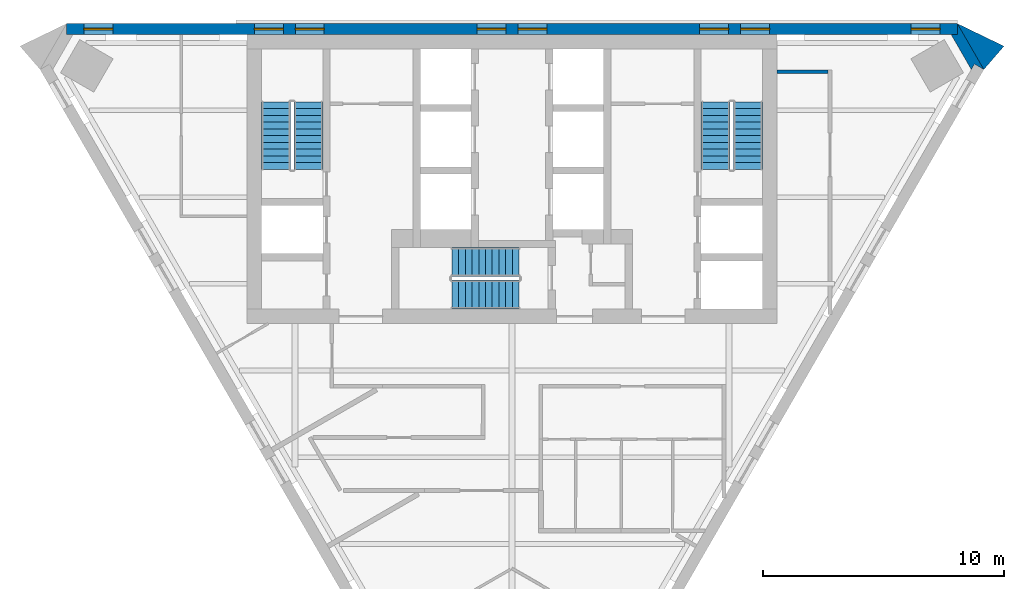
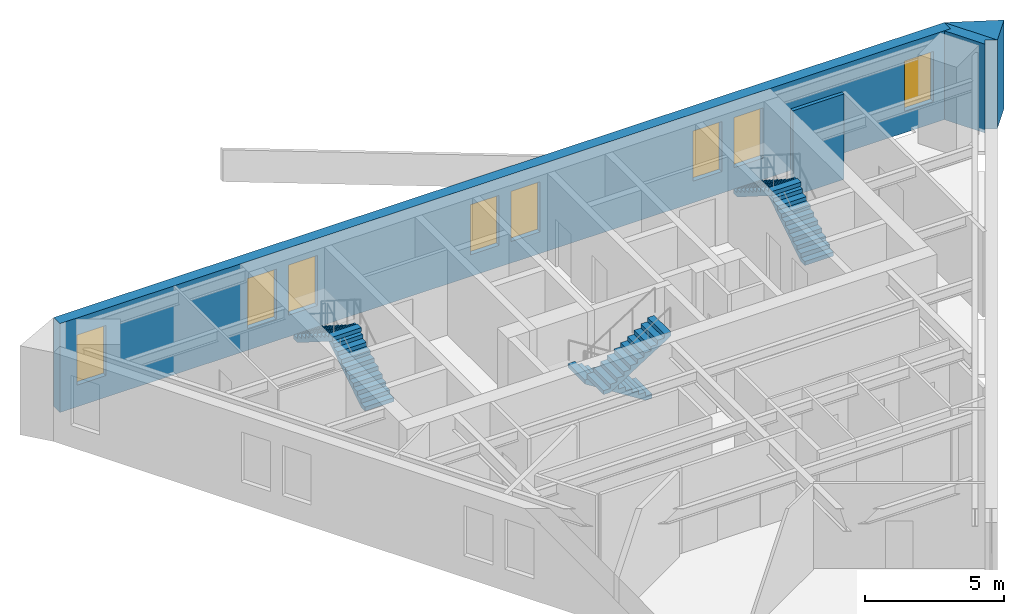
# One storey, part 5 of 6: 8 windows, 6 stair flights, 4 walls, 8 openings, 3 elements without a shape of their own.
"""IFC4 building model written with IfcOpenShell, lengths in metres."""

from ifc_helpers import new_model, si_unit, direction, frame, frame_2d, origin, place, context, subcontext, project, spatial, polyline, rectangle, outline, extrude, material, layer, layer_set, type_object, element, fill, aggregate, save


model = new_model("IFC4")

# Units and contexts
model_context = context("Model", 3, precision=1e-05, world=origin(), true_north=direction((0.0, 1.0)))
body_context = subcontext(model_context, "Body", "Model", "MODEL_VIEW")
ifc_project = project(units=[si_unit("LENGTHUNIT", "METRE"), si_unit("AREAUNIT", "SQUARE_METRE"), si_unit("VOLUMEUNIT", "CUBIC_METRE"), si_unit("PLANEANGLEUNIT", "RADIAN"), si_unit("MASSUNIT", "GRAM", prefix="KILO")], contexts=[model_context])

# Site, building, storey
site_placement = place(None, origin())
site = spatial("IfcSite", under=ifc_project, at=site_placement, CompositionType="ELEMENT")
building_placement = place(site_placement, origin())
building = spatial("IfcBuilding", under=site, at=building_placement, Name="Aloe Facet Convention Tower", CompositionType="ELEMENT")
storey_placement = place(building_placement, frame((0.0, 0.0, 242.60009765625)))
storey = spatial("IfcBuildingStorey", under=building, at=storey_placement, Name="L59", CompositionType="ELEMENT", Elevation=242.60009765625)

# Walls
ifc_material_1 = material(Name="Precast concrete C40/50", Category="concrete")
ifc_layer_1 = layer(ifc_material_1, 0.449951171875)
ifc_layer_set_1 = layer_set([ifc_layer_1], Name="EV-WALL-PIER")
wall_type_1 = type_object("IfcWallType", Name="EV-WALL-PIER", PredefinedType="SOLIDWALL", material=ifc_layer_set_1)
wall_1_placement = place(storey_placement, frame((0.0, 0.0, -0.150146484375)))
element("IfcWall", 1, at=wall_1_placement, inside=storey, type_object=wall_type_1, Name="EP-L59-C", PredefinedType="SOLIDWALL", context=body_context, shape_type="SweptSolid", body=[
    extrude(outline(polyline([(99.586181640625, 133.0947265625), (99.196533203125, 133.31982421875), (99.066650390625, 133.0947265625), (98.226318359375, 134.550048828125), (98.486083984375, 134.550048828125), (98.486083984375, 135.0), (99.586181640625, 133.0947265625)])), origin(), (0.0, 0.0, 1.0), 3.900146484375),
])
ifc_material_2 = material(Name="Precast concrete C40/50", Category="concrete")
ifc_layer_2 = layer(ifc_material_2, 3.947998046875)
ifc_layer_set_2 = layer_set([ifc_layer_2], Name="EV-WALL-SPINE")
wall_type_2 = type_object("IfcWallType", Name="EV-WALL-SPINE", PredefinedType="SOLIDWALL", material=ifc_layer_set_2)
wall_2_placement = place(storey_placement, frame((0.0, 0.0, -0.150146484375)))
element("IfcWall", 2, at=wall_2_placement, inside=storey, type_object=wall_type_2, Name="SP-NE-L59", PredefinedType="SOLIDWALL", context=body_context, shape_type="SweptSolid", body=[
    extrude(outline(polyline([(99.586181640625, 133.0947265625), (100.422119140625, 134.062744140625), (98.486083984375, 135.0), (99.586181640625, 133.0947265625)])), origin(), (0.0, 0.0, 1.0), 3.900146484375),
])

# Wall, openings, windows
ifc_material_3 = material(Name="Precast concrete C40/50", Category="concrete")
ifc_layer_3 = layer(ifc_material_3, 0.449951171875)
ifc_layer_set_3 = layer_set([ifc_layer_3], Name="EV-WALL-STONE")
wall_type_3 = type_object("IfcWallType", Name="EV-WALL-STONE", PredefinedType="SOLIDWALL", material=ifc_layer_set_3)
wall_3_placement = place(storey_placement, frame((98.486083984375, 134.77490234375, -0.150146484375), z_axis=(0.0, 0.0, 1.0), x_axis=(-1.0, 0.0, 0.0)))
wall_3 = element("IfcWall", 3, at=wall_3_placement, inside=storey, type_object=wall_type_3, Name="EW-L59-N01", PredefinedType="SOLIDWALL", context=body_context, shape_type="SweptSolid", body=[
    extrude(outline(polyline([(36.972412109375, 0.0), (36.972412109375, 3.900146484375), (0.0, 3.900146484375), (0.0, 0.0), (36.972412109375, 0.0)])), frame((0.0, 0.22509765625, 0.0), z_axis=(0.0, -1.0, 0.0), x_axis=(1.0, 0.0, 0.0)), (0.0, 0.0, 1.0), 0.449951171875),
])
opening_1_placement = place(wall_3_placement, frame((0.714599609375, 0.0, 0.949951171875)))
opening_1 = element("IfcOpeningElement", 4, at=opening_1_placement, cuts=wall_3, Name="Opening W-L59-N01", PredefinedType="OPENING", context=body_context, shape_type="SweptSolid", body=[
    extrude(rectangle(XDim=1.199951171875, YDim=2.199951171875, at=frame_2d((0.60009765625, 1.10009765625))), frame((0.0, 0.23486328125, 0.0), z_axis=(0.0, -1.0, 0.0), x_axis=(1.0, 0.0, 0.0)), (0.0, 0.0, 1.0), 0.469970703125),
])
opening_2_placement = place(wall_3_placement, frame((7.79296875, 0.0, 0.949951171875)))
opening_2 = element("IfcOpeningElement", 5, at=opening_2_placement, cuts=wall_3, Name="Opening W-L59-N02", PredefinedType="OPENING", context=body_context, shape_type="SweptSolid", body=[
    extrude(rectangle(XDim=1.199951171875, YDim=2.199951171875, at=frame_2d((0.60009765625, 1.10009765625))), frame((0.0, 0.23486328125, 0.0), z_axis=(0.0, -1.0, 0.0), x_axis=(1.0, 0.0, 0.0)), (0.0, 0.0, 1.0), 0.469970703125),
])
opening_3_placement = place(wall_3_placement, frame((9.4931640625, 0.0, 0.949951171875)))
opening_3 = element("IfcOpeningElement", 6, at=opening_3_placement, cuts=wall_3, Name="Opening W-L59-N03", PredefinedType="OPENING", context=body_context, shape_type="SweptSolid", body=[
    extrude(rectangle(XDim=1.199951171875, YDim=2.199951171875, at=frame_2d((0.60009765625, 1.10009765625))), frame((0.0, 0.23486328125, 0.0), z_axis=(0.0, -1.0, 0.0), x_axis=(1.0, 0.0, 0.0)), (0.0, 0.0, 1.0), 0.469970703125),
])
opening_4_placement = place(wall_3_placement, frame((17.0361328125, 0.0, 0.949951171875)))
opening_4 = element("IfcOpeningElement", 7, at=opening_4_placement, cuts=wall_3, Name="Opening W-L59-N04", PredefinedType="OPENING", context=body_context, shape_type="SweptSolid", body=[
    extrude(rectangle(XDim=1.199951171875, YDim=2.199951171875, at=frame_2d((0.60009765625, 1.10009765625))), frame((0.0, 0.23486328125, 0.0), z_axis=(0.0, -1.0, 0.0), x_axis=(1.0, 0.0, 0.0)), (0.0, 0.0, 1.0), 0.469970703125),
])
opening_5_placement = place(wall_3_placement, frame((18.736083984375, 0.0, 0.949951171875)))
opening_5 = element("IfcOpeningElement", 8, at=opening_5_placement, cuts=wall_3, Name="Opening W-L59-N05", PredefinedType="OPENING", context=body_context, shape_type="SweptSolid", body=[
    extrude(rectangle(XDim=1.199951171875, YDim=2.199951171875, at=frame_2d((0.60009765625, 1.10009765625))), frame((0.0, 0.23486328125, 0.0), z_axis=(0.0, -1.0, 0.0), x_axis=(1.0, 0.0, 0.0)), (0.0, 0.0, 1.0), 0.469970703125),
])
opening_6_placement = place(wall_3_placement, frame((26.279296875, 0.0, 0.949951171875)))
opening_6 = element("IfcOpeningElement", 9, at=opening_6_placement, cuts=wall_3, Name="Opening W-L59-N06", PredefinedType="OPENING", context=body_context, shape_type="SweptSolid", body=[
    extrude(rectangle(XDim=1.199951171875, YDim=2.199951171875, at=frame_2d((0.60009765625, 1.10009765625))), frame((0.0, 0.23486328125, 0.0), z_axis=(0.0, -1.0, 0.0), x_axis=(1.0, 0.0, 0.0)), (0.0, 0.0, 1.0), 0.469970703125),
])
opening_7_placement = place(wall_3_placement, frame((27.979248046875, 0.0, 0.949951171875)))
opening_7 = element("IfcOpeningElement", 10, at=opening_7_placement, cuts=wall_3, Name="Opening W-L59-N07", PredefinedType="OPENING", context=body_context, shape_type="SweptSolid", body=[
    extrude(rectangle(XDim=1.199951171875, YDim=2.199951171875, at=frame_2d((0.60009765625, 1.10009765625))), frame((0.0, 0.23486328125, 0.0), z_axis=(0.0, -1.0, 0.0), x_axis=(1.0, 0.0, 0.0)), (0.0, 0.0, 1.0), 0.469970703125),
])
opening_8_placement = place(wall_3_placement, frame((35.0576171875, 0.0, 0.949951171875)))
opening_8 = element("IfcOpeningElement", 11, at=opening_8_placement, cuts=wall_3, Name="Opening W-L59-N08", PredefinedType="OPENING", context=body_context, shape_type="SweptSolid", body=[
    extrude(rectangle(XDim=1.199951171875, YDim=2.199951171875, at=frame_2d((0.60009765625, 1.10009765625))), frame((0.0, 0.23486328125, 0.0), z_axis=(0.0, -1.0, 0.0), x_axis=(1.0, 0.0, 0.0)), (0.0, 0.0, 1.0), 0.469970703125),
])
ifc_material_4 = material(Name="Aluminium frame, clear double glazing", Category="aluminium")
window_type = type_object("IfcWindowType", Name="EV-WIN-O12", PartitioningType="SINGLE_PANEL", PredefinedType="WINDOW", material=ifc_material_4)
window_1_placement = place(opening_1_placement, origin())
window_1 = element("IfcWindow", 12, at=window_1_placement, inside=storey, type_object=window_type, Name="W-L59-N01", OverallHeight=2.199951171875, OverallWidth=1.199951171875, PartitioningType="SINGLE_PANEL", PredefinedType="WINDOW", context=body_context, shape_type="SweptSolid", body=[
    extrude(rectangle(XDim=1.199951171875, YDim=2.199951171875, at=frame_2d((0.60009765625, 1.10009765625))), frame((0.0, 0.030029296875, 0.0), z_axis=(0.0, -1.0, 0.0), x_axis=(1.0, 0.0, 0.0)), (0.0, 0.0, 1.0), 0.06005859375),
])
fill(opening_1, window_1)
window_2_placement = place(opening_2_placement, origin())
window_2 = element("IfcWindow", 13, at=window_2_placement, inside=storey, type_object=window_type, Name="W-L59-N02", OverallHeight=2.199951171875, OverallWidth=1.199951171875, PartitioningType="SINGLE_PANEL", PredefinedType="WINDOW", context=body_context, shape_type="SweptSolid", body=[
    extrude(rectangle(XDim=1.199951171875, YDim=2.199951171875, at=frame_2d((0.60009765625, 1.10009765625))), frame((0.0, 0.030029296875, 0.0), z_axis=(0.0, -1.0, 0.0), x_axis=(1.0, 0.0, 0.0)), (0.0, 0.0, 1.0), 0.06005859375),
])
fill(opening_2, window_2)
window_3_placement = place(opening_3_placement, origin())
window_3 = element("IfcWindow", 14, at=window_3_placement, inside=storey, type_object=window_type, Name="W-L59-N03", OverallHeight=2.199951171875, OverallWidth=1.199951171875, PartitioningType="SINGLE_PANEL", PredefinedType="WINDOW", context=body_context, shape_type="SweptSolid", body=[
    extrude(rectangle(XDim=1.199951171875, YDim=2.199951171875, at=frame_2d((0.60009765625, 1.10009765625))), frame((0.0, 0.030029296875, 0.0), z_axis=(0.0, -1.0, 0.0), x_axis=(1.0, 0.0, 0.0)), (0.0, 0.0, 1.0), 0.06005859375),
])
fill(opening_3, window_3)
window_4_placement = place(opening_4_placement, origin())
window_4 = element("IfcWindow", 15, at=window_4_placement, inside=storey, type_object=window_type, Name="W-L59-N04", OverallHeight=2.199951171875, OverallWidth=1.199951171875, PartitioningType="SINGLE_PANEL", PredefinedType="WINDOW", context=body_context, shape_type="SweptSolid", body=[
    extrude(rectangle(XDim=1.199951171875, YDim=2.199951171875, at=frame_2d((0.60009765625, 1.10009765625))), frame((0.0, 0.030029296875, 0.0), z_axis=(0.0, -1.0, 0.0), x_axis=(1.0, 0.0, 0.0)), (0.0, 0.0, 1.0), 0.06005859375),
])
fill(opening_4, window_4)
window_5_placement = place(opening_5_placement, origin())
window_5 = element("IfcWindow", 16, at=window_5_placement, inside=storey, type_object=window_type, Name="W-L59-N05", OverallHeight=2.199951171875, OverallWidth=1.199951171875, PartitioningType="SINGLE_PANEL", PredefinedType="WINDOW", context=body_context, shape_type="SweptSolid", body=[
    extrude(rectangle(XDim=1.199951171875, YDim=2.199951171875, at=frame_2d((0.60009765625, 1.10009765625))), frame((0.0, 0.030029296875, 0.0), z_axis=(0.0, -1.0, 0.0), x_axis=(1.0, 0.0, 0.0)), (0.0, 0.0, 1.0), 0.06005859375),
])
fill(opening_5, window_5)
window_6_placement = place(opening_6_placement, origin())
window_6 = element("IfcWindow", 17, at=window_6_placement, inside=storey, type_object=window_type, Name="W-L59-N06", OverallHeight=2.199951171875, OverallWidth=1.199951171875, PartitioningType="SINGLE_PANEL", PredefinedType="WINDOW", context=body_context, shape_type="SweptSolid", body=[
    extrude(rectangle(XDim=1.199951171875, YDim=2.199951171875, at=frame_2d((0.60009765625, 1.10009765625))), frame((0.0, 0.030029296875, 0.0), z_axis=(0.0, -1.0, 0.0), x_axis=(1.0, 0.0, 0.0)), (0.0, 0.0, 1.0), 0.06005859375),
])
fill(opening_6, window_6)
window_7_placement = place(opening_7_placement, origin())
window_7 = element("IfcWindow", 18, at=window_7_placement, inside=storey, type_object=window_type, Name="W-L59-N07", OverallHeight=2.199951171875, OverallWidth=1.199951171875, PartitioningType="SINGLE_PANEL", PredefinedType="WINDOW", context=body_context, shape_type="SweptSolid", body=[
    extrude(rectangle(XDim=1.199951171875, YDim=2.199951171875, at=frame_2d((0.60009765625, 1.10009765625))), frame((0.0, 0.030029296875, 0.0), z_axis=(0.0, -1.0, 0.0), x_axis=(1.0, 0.0, 0.0)), (0.0, 0.0, 1.0), 0.06005859375),
])
fill(opening_7, window_7)
window_8_placement = place(opening_8_placement, origin())
window_8 = element("IfcWindow", 19, at=window_8_placement, inside=storey, type_object=window_type, Name="W-L59-N08", OverallHeight=2.199951171875, OverallWidth=1.199951171875, PartitioningType="SINGLE_PANEL", PredefinedType="WINDOW", context=body_context, shape_type="SweptSolid", body=[
    extrude(rectangle(XDim=1.199951171875, YDim=2.199951171875, at=frame_2d((0.60009765625, 1.10009765625))), frame((0.0, 0.030029296875, 0.0), z_axis=(0.0, -1.0, 0.0), x_axis=(1.0, 0.0, 0.0)), (0.0, 0.0, 1.0), 0.06005859375),
])
fill(opening_8, window_8)

# Wall
ifc_material_5 = material(Name="Gypsum board partition on steel studs", Category="steel")
ifc_layer_4 = layer(ifc_material_5, 0.14990234375)
ifc_layer_set_4 = layer_set([ifc_layer_4], Name="IN-W-CORR")
wall_type_4 = type_object("IfcWallType", Name="IN-W-CORR", PredefinedType="PARTITIONING", material=ifc_layer_set_4)
wall_4_placement = place(storey_placement, frame((91.0, 133.0, 0.0), z_axis=(0.0, 0.0, 1.0), x_axis=(1.0, 0.0, 0.0)))
element("IfcWall", 20, at=wall_4_placement, inside=storey, type_object=wall_type_4, Name="Partition L59-W035", PredefinedType="PARTITIONING", context=body_context, shape_type="SweptSolid", body=[
    extrude(rectangle(XDim=2.125, YDim=0.14990234375, at=frame_2d((1.0625, 0.0))), origin(), (0.0, 0.0, 1.0), 3.75),
])

# Stair, stair flights
ifc_material_6 = material(Name="Concrete C50/60", Category="concrete")
stair_type = type_object("IfcStairType", Name="CR-ST-22R", PredefinedType="HALF_TURN_STAIR", material=ifc_material_6)
stair_1_placement = place(storey_placement, origin())
stair_1 = element("IfcStair", 21, at=stair_1_placement, inside=storey, type_object=stair_type, Name="L59 Protected exit stair ST1", PredefinedType="HALF_TURN_STAIR")
ifc_material_7 = material(Name="Concrete C50/60", Category="concrete")
stair_flight_type = type_object("IfcStairFlightType", Name="CR-SFL-22R", PredefinedType="STRAIGHT", material=ifc_material_7)
stair_flight_1_placement = place(storey_placement, frame((71.550048828125, 128.949951171875, 0.0), z_axis=(0.0, 0.0, 1.0), x_axis=(0.0, 1.0, 0.0)))
stair_flight_1 = element("IfcStairFlight", 22, at=stair_flight_1_placement, type_object=stair_flight_type, Name="ST1 flight 1", NumberOfRisers=11, NumberOfTreads=10, PredefinedType="STRAIGHT", RiserHeight=0.177272727, TreadLength=0.28, context=body_context, shape_type="SweptSolid", body=[
    extrude(outline(polyline([(0.0, 0.0), (0.0, 0.17724609375), (0.280029296875, 0.17724609375), (0.280029296875, 0.3544921875), (0.56005859375, 0.3544921875), (0.56005859375, 0.53173828125), (0.840087890625, 0.53173828125), (0.840087890625, 0.708984375), (1.1201171875, 0.708984375), (1.1201171875, 0.886474609375), (1.39990234375, 0.886474609375), (1.39990234375, 1.063720703125), (1.679931640625, 1.063720703125), (1.679931640625, 1.240966796875), (1.9599609375, 1.240966796875), (1.9599609375, 1.418212890625), (2.239990234375, 1.418212890625), (2.239990234375, 1.595458984375), (2.52001953125, 1.595458984375), (2.52001953125, 1.772705078125), (2.800048828125, 1.772705078125), (2.800048828125, 1.949951171875), (2.800048828125, 1.59521484375), (0.2802734375, 0.0), (0.0, 0.0)])), frame((0.0, 0.60009765625, 0.0), z_axis=(0.0, -1.0, 0.0), x_axis=(1.0, 0.0, 0.0)), (0.0, 0.0, 1.0), 1.199951171875),
])
stair_flight_2_placement = place(storey_placement, frame((70.199951171875, 131.75, 1.949951171875), z_axis=(0.0, 0.0, 1.0), x_axis=(0.0, -1.0, 0.0)))
stair_flight_2 = element("IfcStairFlight", 23, at=stair_flight_2_placement, type_object=stair_flight_type, Name="ST1 flight 2", NumberOfRisers=11, NumberOfTreads=10, PredefinedType="STRAIGHT", RiserHeight=0.177272727, TreadLength=0.28, context=body_context, shape_type="SweptSolid", body=[
    extrude(outline(polyline([(0.0, 0.0), (0.0, 0.17724609375), (0.280029296875, 0.17724609375), (0.280029296875, 0.3544921875), (0.56005859375, 0.3544921875), (0.56005859375, 0.53173828125), (0.840087890625, 0.53173828125), (0.840087890625, 0.708984375), (1.1201171875, 0.708984375), (1.1201171875, 0.886474609375), (1.39990234375, 0.886474609375), (1.39990234375, 1.063720703125), (1.679931640625, 1.063720703125), (1.679931640625, 1.240966796875), (1.9599609375, 1.240966796875), (1.9599609375, 1.418212890625), (2.239990234375, 1.418212890625), (2.239990234375, 1.595458984375), (2.52001953125, 1.595458984375), (2.52001953125, 1.772705078125), (2.800048828125, 1.772705078125), (2.800048828125, 1.949951171875), (2.800048828125, 1.59521484375), (0.2802734375, 0.0), (0.0, 0.0)])), frame((0.0, 0.60009765625, 0.0), z_axis=(0.0, -1.0, 0.0), x_axis=(1.0, 0.0, 0.0)), (0.0, 0.0, 1.0), 1.199951171875),
])
aggregate(stair_1, [stair_flight_1, stair_flight_2])

stair_2_placement = place(storey_placement, origin())
stair_2 = element("IfcStair", 24, at=stair_2_placement, inside=storey, type_object=stair_type, Name="L59 Protected exit stair ST2", PredefinedType="HALF_TURN_STAIR")
stair_flight_3_placement = place(storey_placement, frame((89.800048828125, 128.949951171875, 0.0), z_axis=(0.0, 0.0, 1.0), x_axis=(0.0, 1.0, 0.0)))
stair_flight_3 = element("IfcStairFlight", 25, at=stair_flight_3_placement, type_object=stair_flight_type, Name="ST2 flight 1", NumberOfRisers=11, NumberOfTreads=10, PredefinedType="STRAIGHT", RiserHeight=0.177272727, TreadLength=0.28, context=body_context, shape_type="SweptSolid", body=[
    extrude(outline(polyline([(0.0, 0.0), (0.0, 0.17724609375), (0.280029296875, 0.17724609375), (0.280029296875, 0.3544921875), (0.56005859375, 0.3544921875), (0.56005859375, 0.53173828125), (0.840087890625, 0.53173828125), (0.840087890625, 0.708984375), (1.1201171875, 0.708984375), (1.1201171875, 0.886474609375), (1.39990234375, 0.886474609375), (1.39990234375, 1.063720703125), (1.679931640625, 1.063720703125), (1.679931640625, 1.240966796875), (1.9599609375, 1.240966796875), (1.9599609375, 1.418212890625), (2.239990234375, 1.418212890625), (2.239990234375, 1.595458984375), (2.52001953125, 1.595458984375), (2.52001953125, 1.772705078125), (2.800048828125, 1.772705078125), (2.800048828125, 1.949951171875), (2.800048828125, 1.59521484375), (0.2802734375, 0.0), (0.0, 0.0)])), frame((0.0, 0.60009765625, 0.0), z_axis=(0.0, -1.0, 0.0), x_axis=(1.0, 0.0, 0.0)), (0.0, 0.0, 1.0), 1.199951171875),
])
stair_flight_4_placement = place(storey_placement, frame((88.449951171875, 131.75, 1.949951171875), z_axis=(0.0, 0.0, 1.0), x_axis=(0.0, -1.0, 0.0)))
stair_flight_4 = element("IfcStairFlight", 26, at=stair_flight_4_placement, type_object=stair_flight_type, Name="ST2 flight 2", NumberOfRisers=11, NumberOfTreads=10, PredefinedType="STRAIGHT", RiserHeight=0.177272727, TreadLength=0.28, context=body_context, shape_type="SweptSolid", body=[
    extrude(outline(polyline([(0.0, 0.0), (0.0, 0.17724609375), (0.280029296875, 0.17724609375), (0.280029296875, 0.3544921875), (0.56005859375, 0.3544921875), (0.56005859375, 0.53173828125), (0.840087890625, 0.53173828125), (0.840087890625, 0.708984375), (1.1201171875, 0.708984375), (1.1201171875, 0.886474609375), (1.39990234375, 0.886474609375), (1.39990234375, 1.063720703125), (1.679931640625, 1.063720703125), (1.679931640625, 1.240966796875), (1.9599609375, 1.240966796875), (1.9599609375, 1.418212890625), (2.239990234375, 1.418212890625), (2.239990234375, 1.595458984375), (2.52001953125, 1.595458984375), (2.52001953125, 1.772705078125), (2.800048828125, 1.772705078125), (2.800048828125, 1.949951171875), (2.800048828125, 1.59521484375), (0.2802734375, 0.0), (0.0, 0.0)])), frame((0.0, 0.60009765625, 0.0), z_axis=(0.0, -1.0, 0.0), x_axis=(1.0, 0.0, 0.0)), (0.0, 0.0, 1.0), 1.199951171875),
])
aggregate(stair_2, [stair_flight_3, stair_flight_4])

stair_3_placement = place(storey_placement, origin())
stair_3 = element("IfcStair", 27, at=stair_3_placement, inside=storey, type_object=stair_type, Name="L59 Protected exit stair ST3", PredefinedType="HALF_TURN_STAIR")
stair_flight_5_placement = place(storey_placement, frame((80.300048828125, 125.10009765625, 0.0), z_axis=(0.0, 0.0, 1.0), x_axis=(-1.0, 0.0, 0.0)))
stair_flight_5 = element("IfcStairFlight", 28, at=stair_flight_5_placement, type_object=stair_flight_type, Name="ST3 flight 1", NumberOfRisers=11, NumberOfTreads=10, PredefinedType="STRAIGHT", RiserHeight=0.177272727, TreadLength=0.28, context=body_context, shape_type="SweptSolid", body=[
    extrude(outline(polyline([(0.0, 0.0), (0.0, 0.17724609375), (0.280029296875, 0.17724609375), (0.280029296875, 0.3544921875), (0.56005859375, 0.3544921875), (0.56005859375, 0.53173828125), (0.840087890625, 0.53173828125), (0.840087890625, 0.708984375), (1.1201171875, 0.708984375), (1.1201171875, 0.886474609375), (1.39990234375, 0.886474609375), (1.39990234375, 1.063720703125), (1.679931640625, 1.063720703125), (1.679931640625, 1.240966796875), (1.9599609375, 1.240966796875), (1.9599609375, 1.418212890625), (2.239990234375, 1.418212890625), (2.239990234375, 1.595458984375), (2.52001953125, 1.595458984375), (2.52001953125, 1.772705078125), (2.800048828125, 1.772705078125), (2.800048828125, 1.949951171875), (2.800048828125, 1.59521484375), (0.2802734375, 0.0), (0.0, 0.0)])), frame((0.0, 0.60009765625, 0.0), z_axis=(0.0, -1.0, 0.0), x_axis=(1.0, 0.0, 0.0)), (0.0, 0.0, 1.0), 1.199951171875),
])
stair_flight_6_placement = place(storey_placement, frame((77.5, 123.75, 1.949951171875), z_axis=(0.0, 0.0, 1.0), x_axis=(1.0, 0.0, 0.0)))
stair_flight_6 = element("IfcStairFlight", 29, at=stair_flight_6_placement, type_object=stair_flight_type, Name="ST3 flight 2", NumberOfRisers=11, NumberOfTreads=10, PredefinedType="STRAIGHT", RiserHeight=0.177272727, TreadLength=0.28, context=body_context, shape_type="SweptSolid", body=[
    extrude(outline(polyline([(0.0, 0.0), (0.0, 0.17724609375), (0.280029296875, 0.17724609375), (0.280029296875, 0.3544921875), (0.56005859375, 0.3544921875), (0.56005859375, 0.53173828125), (0.840087890625, 0.53173828125), (0.840087890625, 0.708984375), (1.1201171875, 0.708984375), (1.1201171875, 0.886474609375), (1.39990234375, 0.886474609375), (1.39990234375, 1.063720703125), (1.679931640625, 1.063720703125), (1.679931640625, 1.240966796875), (1.9599609375, 1.240966796875), (1.9599609375, 1.418212890625), (2.239990234375, 1.418212890625), (2.239990234375, 1.595458984375), (2.52001953125, 1.595458984375), (2.52001953125, 1.772705078125), (2.800048828125, 1.772705078125), (2.800048828125, 1.949951171875), (2.800048828125, 1.59521484375), (0.2802734375, 0.0), (0.0, 0.0)])), frame((0.0, 0.60009765625, 0.0), z_axis=(0.0, -1.0, 0.0), x_axis=(1.0, 0.0, 0.0)), (0.0, 0.0, 1.0), 1.199951171875),
])
aggregate(stair_3, [stair_flight_5, stair_flight_6])

save(model, "model.ifc")
